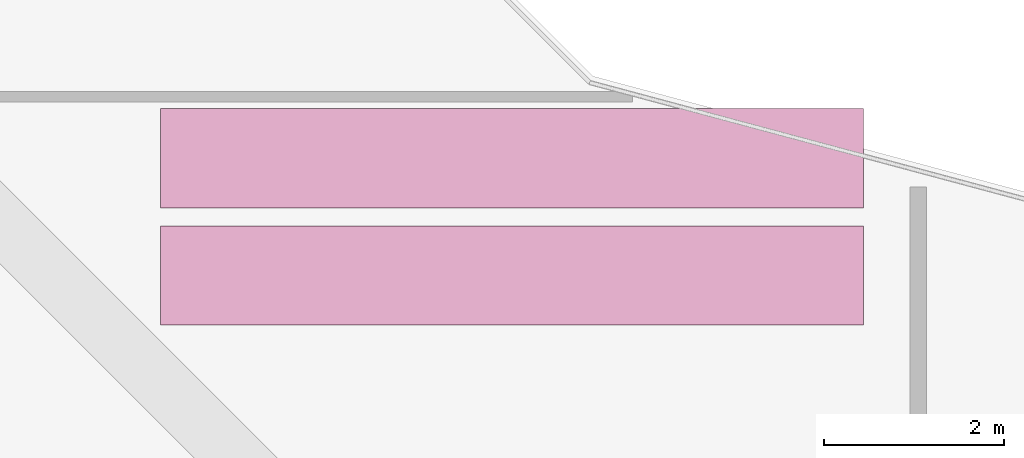
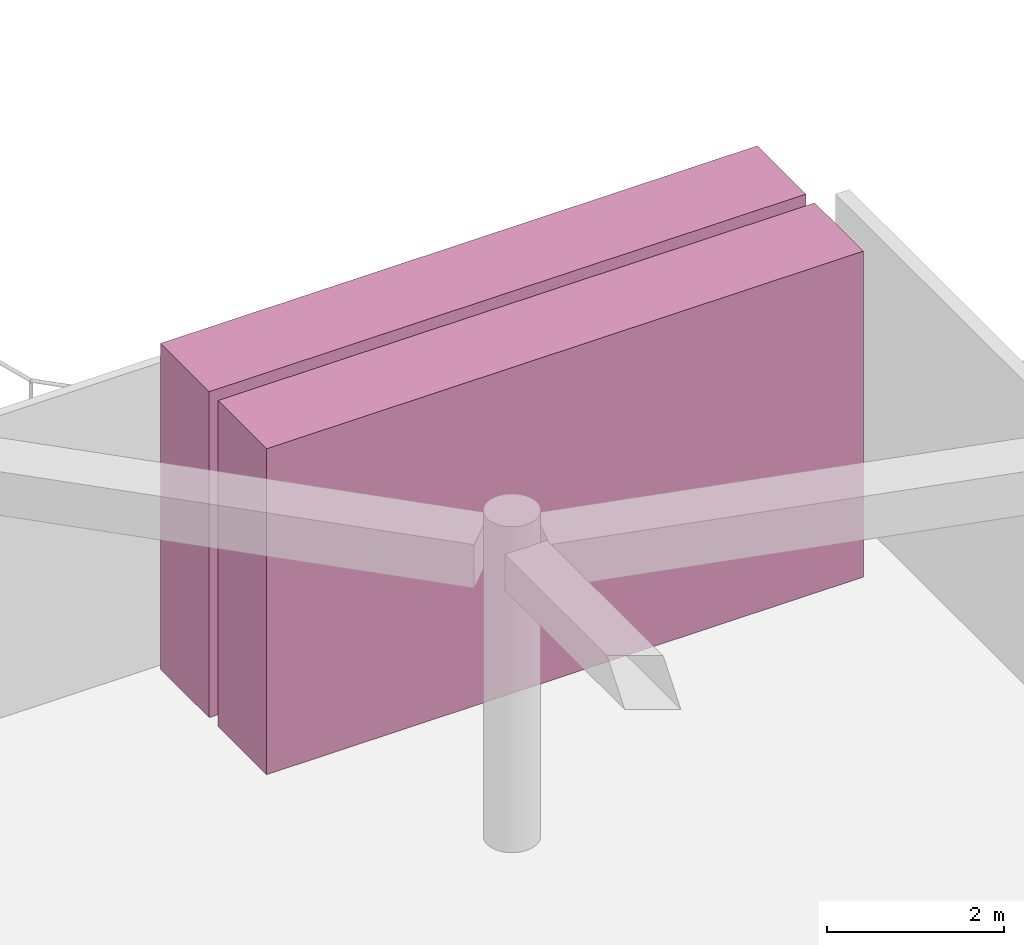
# One storey, part 79 of 79: 2 transport elements.
"""IFC4 building model written with IfcOpenShell, lengths in metres."""

from ifc_helpers import new_model, si_unit, derived_unit, direction, frame, origin, origin_2d, place, context, subcontext, project, spatial, rectangle, extrude, material, type_object, element, save


model = new_model("IFC4")

# Units and contexts
model_context = context("Model", 3, precision=1e-05, world=origin(), true_north=direction((0.0, 1.0)))
body_context = subcontext(model_context, "Body", "Model", "MODEL_VIEW")
ifc_project = project(units=[si_unit("LENGTHUNIT", "METRE"), si_unit("AREAUNIT", "SQUARE_METRE"), si_unit("VOLUMEUNIT", "CUBIC_METRE"), si_unit("PLANEANGLEUNIT", "RADIAN"), si_unit("MASSUNIT", "GRAM", prefix="KILO"), derived_unit("THERMALTRANSMITTANCEUNIT", [(si_unit("POWERUNIT", "WATT"), 1), (si_unit("LENGTHUNIT", "METRE"), -2), (si_unit("THERMODYNAMICTEMPERATUREUNIT", "KELVIN"), -1)])], contexts=[model_context])

# Site, building, storey
site_placement = place(None, origin())
site = spatial("IfcSite", under=ifc_project, at=site_placement, CompositionType="ELEMENT")
building_placement = place(site_placement, origin())
building = spatial("IfcBuilding", under=site, at=building_placement, Name="Veybourne Emporium", CompositionType="ELEMENT")
storey_placement = place(building_placement, frame((0.0, 0.0, 18.89990234375)))
storey = spatial("IfcBuildingStorey", under=building, at=storey_placement, Name="L04", CompositionType="ELEMENT", Elevation=18.89990234375)

# Transport elements
ifc_material = material(Name="Brushed Stainless Steel", Category="steel")
transport_element_type = type_object("IfcTransportElementType", Name="Escalator_ESC-01", PredefinedType="ESCALATOR", material=ifc_material)
for number, where, z_axis, x_axis, name in (
    (1, (69.300048828125, 38.838134765625, 0.0), (0.0, 0.0, 1.0), (1.0, 0.0, 0.0), "Atrium criss-cross escalator ES-09 (L04 to L05)"),
    (2, (69.300048828125, 40.13818359375, 0.0), (0.0, 0.0, 1.0), (1.0, 0.0, 0.0), "Atrium criss-cross escalator ES-10 (L04 to L05)"),
):
    element("IfcTransportElement", number, at=place(storey_placement, frame(where, z_axis=z_axis, x_axis=x_axis)), inside=storey, type_object=transport_element_type, Name=name, PredefinedType="ESCALATOR", context=body_context, shape_type="SweptSolid", body=[
        extrude(rectangle(XDim=7.7939453125, YDim=1.10009765625, at=origin_2d()), origin(), (0.0, 0.0, 1.0), 4.5),
    ])

save(model, "model.ifc")
